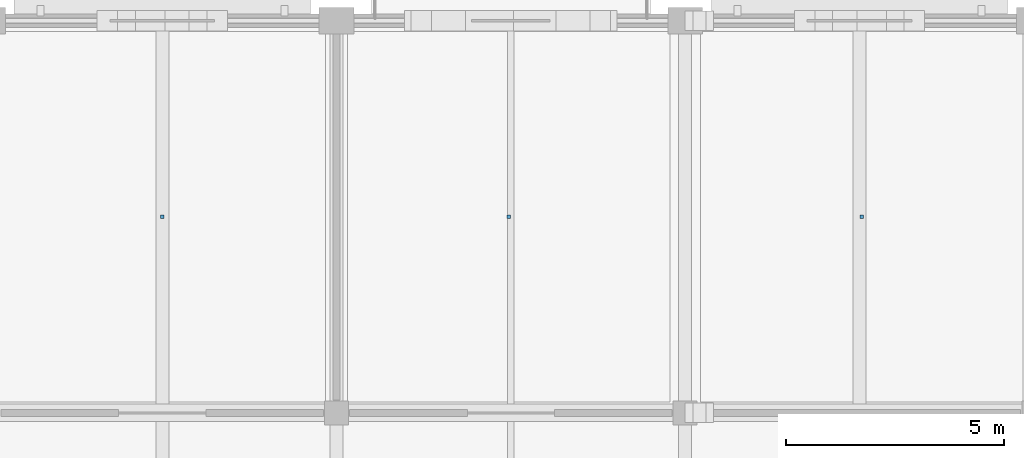
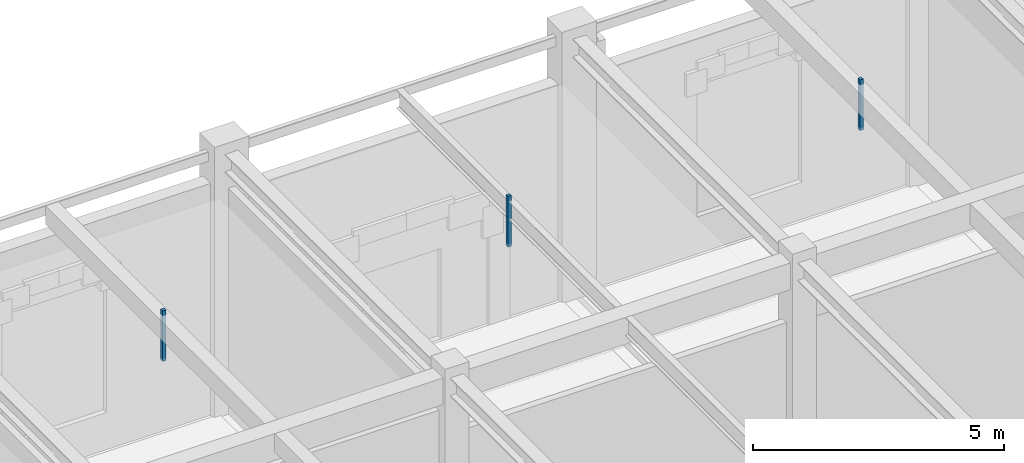
# One storey, part 149 of 163: 3 discrete accessories.
"""IFC4 building model written with IfcOpenShell, lengths in metres."""

from ifc_helpers import new_model, si_unit, direction, frame, origin, origin_2d, place, context, subcontext, project, spatial, rectangle, extrude, material, layer, layer_set, type_object, element, save


model = new_model("IFC4")

# Units and contexts
model_context = context("Model", 3, precision=1e-05, world=origin(), true_north=direction((0.0, 1.0)))
body_context = subcontext(model_context, "Body", "Model", "MODEL_VIEW")
ifc_project = project(units=[si_unit("LENGTHUNIT", "METRE"), si_unit("AREAUNIT", "SQUARE_METRE"), si_unit("VOLUMEUNIT", "CUBIC_METRE"), si_unit("PLANEANGLEUNIT", "RADIAN"), si_unit("MASSUNIT", "GRAM", prefix="KILO")], contexts=[model_context])

# Site, building, storey
site_placement = place(None, origin())
site = spatial("IfcSite", under=ifc_project, at=site_placement, CompositionType="ELEMENT")
building_placement = place(site_placement, origin())
building = spatial("IfcBuilding", under=site, at=building_placement, Name="Varnabhumi Central Station", CompositionType="ELEMENT")
storey_placement = place(building_placement, frame((0.0, 0.0, 9.60009765625)))
storey = spatial("IfcBuildingStorey", under=building, at=storey_placement, Name="L02", CompositionType="ELEMENT", Elevation=9.60009765625)

# Discrete accessories
ifc_material = material(Name="Structural steel E350", Category="steel")
ifc_layer = layer(ifc_material, 0.159912109375, Name="Structural steel E350", Category="steel")
ifc_layer_set = layer_set([ifc_layer], Name="Structural steel E350")
discrete_accessory_type = type_object("IfcDiscreteAccessoryType", Name="ACC-SHADE-BRKT", PredefinedType="BRACKET", material=ifc_layer_set)
for number, where, z_axis, x_axis, name in (
    (1, (108.0, 111.5, 5.239990234375), (0.0, 0.0, 1.0), (1.0, 0.0, 0.0), "Concourse Travel Retail Shop 21 Ceiling Hanger"),
    (2, (115.949951171875, 111.5, 5.239990234375), (0.0, 0.0, 1.0), (1.0, 0.0, 0.0), "Concourse Book and Craft Shop 22 Ceiling Hanger"),
    (3, (124.050048828125, 111.5, 5.239990234375), (0.0, 0.0, 1.0), (1.0, 0.0, 0.0), "Concourse Book and Craft Shop 22 Ceiling Hanger"),
):
    element("IfcDiscreteAccessory", number, at=place(storey_placement, frame(where, z_axis=z_axis, x_axis=x_axis)), inside=storey, type_object=discrete_accessory_type, Name=name, PredefinedType="BRACKET", context=body_context, shape_type="SweptSolid", body=[
        extrude(rectangle(XDim=0.080078125, YDim=0.080078125, at=origin_2d()), origin(), (0.0, 0.0, 1.0), 1.22998046875),
    ])

save(model, "model.ifc")
